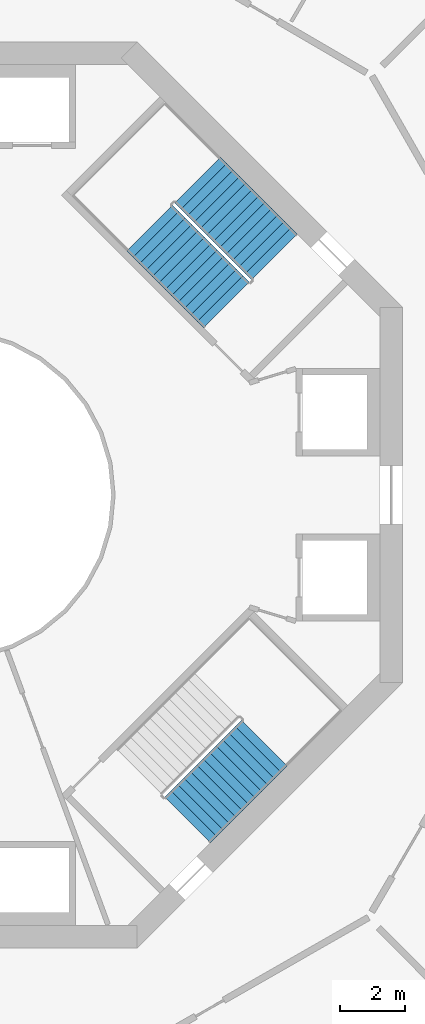
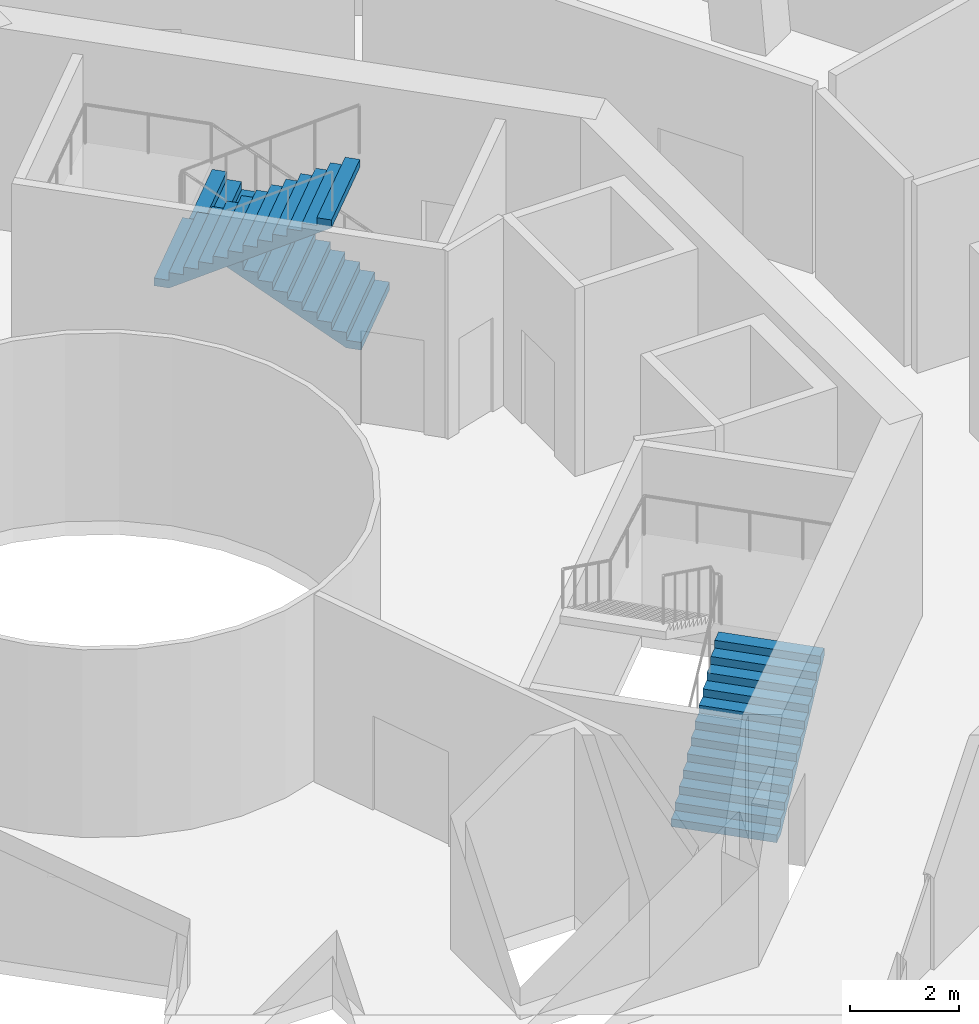
# One storey, part 15 of 16: 3 stair flights, 2 elements without a shape of their own.
"""IFC4 building model written with IfcOpenShell, lengths in metres."""

from ifc_helpers import new_model, si_unit, direction, frame, origin, place, context, subcontext, project, spatial, triangles, material, type_object, element, aggregate, save


model = new_model("IFC4")

# Units and contexts
model_context = context("Model", 3, precision=1e-05, world=origin(), true_north=direction((0.0, 1.0)))
body_context = subcontext(model_context, "Body", "Model", "MODEL_VIEW")
ifc_project = project(units=[si_unit("LENGTHUNIT", "METRE"), si_unit("AREAUNIT", "SQUARE_METRE"), si_unit("VOLUMEUNIT", "CUBIC_METRE"), si_unit("PLANEANGLEUNIT", "RADIAN"), si_unit("MASSUNIT", "GRAM", prefix="KILO")], contexts=[model_context])

# Site, building, storey
site_placement = place(None, origin())
site = spatial("IfcSite", under=ifc_project, at=site_placement, CompositionType="ELEMENT")
building_placement = place(site_placement, origin())
building = spatial("IfcBuilding", under=site, at=building_placement, Name="Verdalira Terraces Hotel", CompositionType="ELEMENT")
storey_placement = place(building_placement, frame((0.0, 0.0, 154.0)))
storey = spatial("IfcBuildingStorey", under=building, at=storey_placement, Name="L37", CompositionType="ELEMENT", Elevation=154.0)

# Stair, stair flights
ifc_material_1 = material(Name="Concrete C40", Category="concrete")
stair_type = type_object("IfcStairType", Name="Core stair 26 risers 2000 mm wide", PredefinedType="HALF_TURN_STAIR", material=ifc_material_1)
stair_1_placement = place(storey_placement, origin())
stair_1 = element("IfcStair", 1, at=stair_1_placement, inside=storey, type_object=stair_type, Name="L37 Exit stair ST1", PredefinedType="HALF_TURN_STAIR")
ifc_material_2 = material(Name="Concrete C40", Category="concrete")
stair_flight_type = type_object("IfcStairFlightType", Name="Core stair flight 26 risers 2000 mm wide", PredefinedType="STRAIGHT", material=ifc_material_2)
stair_flight_1_placement = place(storey_placement, frame((10.041016, 7.354004, 0.0), z_axis=(0.0, 0.0, 1.0), x_axis=(-0.707106781, 0.707106781, 0.0)))
stair_flight_1 = element("IfcStairFlight", 2, at=stair_flight_1_placement, type_object=stair_flight_type, Name="ST1 flight 1", NumberOfRisers=13, NumberOfTreads=12, PredefinedType="STRAIGHT", RiserHeight=0.173076923, TreadLength=0.28, context=body_context, shape_type="Tessellation", body=[
    triangles([(0.0, 1.0, 0.0), (0.285156, 1.0, 0.0), (3.360107, 1.0, 1.900635), (0.0, -1.0, 0.0), (0.285156, -1.0, 0.0), (3.360107, -1.0, 1.900635), (3.360107, 1.0, 2.076904), (3.080078, 1.0, 2.076904), (3.360107, -1.0, 2.076904), (3.080078, -1.0, 2.076904), (3.080078, 1.0, 1.903809), (3.080078, -1.0, 1.903809), (2.800049, 1.0, 1.903809), (2.800049, -1.0, 1.903809), (2.800049, 1.0, 1.730713), (2.800049, -1.0, 1.730713), (2.52002, 1.0, 1.730713), (2.52002, 1.0, 1.557617), (2.52002, -1.0, 1.730713), (2.52002, -1.0, 1.557617), (2.23999, 1.0, 1.557617), (2.23999, 1.0, 1.384521), (2.23999, -1.0, 1.557617), (2.23999, -1.0, 1.384521), (1.959961, 1.0, 1.384521), (1.959961, 1.0, 1.211426), (1.959961, -1.0, 1.384521), (1.959961, -1.0, 1.211426), (1.679932, 1.0, 1.211426), (1.679932, 1.0, 1.038574), (1.679932, -1.0, 1.211426), (1.679932, -1.0, 1.038574), (1.399902, 1.0, 1.038574), (1.399902, 1.0, 0.865479), (1.399902, -1.0, 1.038574), (1.399902, -1.0, 0.865479), (1.120117, 1.0, 0.865479), (1.120117, 1.0, 0.692383), (1.120117, -1.0, 0.865479), (1.120117, -1.0, 0.692383), (0.840088, 1.0, 0.692383), (0.840088, 1.0, 0.519287), (0.840088, -1.0, 0.692383), (0.840088, -1.0, 0.519287), (0.560059, 1.0, 0.519287), (0.560059, 1.0, 0.346191), (0.560059, -1.0, 0.519287), (0.560059, -1.0, 0.346191), (0.280029, 1.0, 0.346191), (0.280029, 1.0, 0.173096), (0.280029, -1.0, 0.346191), (0.280029, -1.0, 0.173096), (0.0, 1.0, 0.173096), (0.0, -1.0, 0.173096), (0.0, -0.9375, 0.0), (0.0, -0.9375, 0.173096), (0.0, -0.875, 0.0), (0.0, -0.875, 0.173096), (0.0, -0.8125, 0.0), (0.0, -0.8125, 0.173096), (0.0, -0.75, 0.0), (0.0, -0.75, 0.173096), (0.0, -0.6875, 0.0), (0.0, -0.6875, 0.173096), (0.0, -0.625, 0.0), (0.0, -0.625, 0.173096), (0.0, -0.5625, 0.0), (0.0, -0.5625, 0.173096), (0.0, -0.5, 0.0), (0.0, -0.5, 0.173096), (0.0, -0.4375, 0.0), (0.0, -0.4375, 0.173096), (0.0, -0.375, 0.0), (0.0, -0.375, 0.173096), (0.0, -0.3125, 0.0), (0.0, -0.3125, 0.173096), (0.0, -0.25, 0.0), (0.0, -0.25, 0.173096), (0.0, -0.1875, 0.0), (0.0, -0.1875, 0.173096), (0.0, -0.125, 0.0), (0.0, -0.125, 0.173096), (0.0, -0.0625, 0.0), (0.0, -0.0625, 0.173096), (0.0, 0.0, 0.0), (0.0, 0.0, 0.173096), (0.0, 0.0625, 0.0), (0.0, 0.0625, 0.173096), (0.0, 0.125, 0.0), (0.0, 0.125, 0.173096), (0.0, 0.1875, 0.0), (0.0, 0.1875, 0.173096), (0.0, 0.25, 0.0), (0.0, 0.25, 0.173096), (0.0, 0.3125, 0.0), (0.0, 0.3125, 0.173096), (0.0, 0.375, 0.0), (0.0, 0.375, 0.173096), (0.0, 0.4375, 0.0), (0.0, 0.4375, 0.173096), (0.0, 0.5, 0.0), (0.0, 0.5, 0.173096), (0.0, 0.5625, 0.0), (0.0, 0.5625, 0.173096), (0.0, 0.625, 0.0), (0.0, 0.625, 0.173096), (0.0, 0.6875, 0.0), (0.0, 0.6875, 0.173096), (0.0, 0.75, 0.0), (0.0, 0.75, 0.173096), (0.0, 0.8125, 0.0), (0.0, 0.8125, 0.173096), (0.0, 0.875, 0.0), (0.0, 0.875, 0.173096), (0.0, 0.9375, 0.0), (0.0, 0.9375, 0.173096), (3.360107, -0.9375, 2.076904), (3.360107, -0.875, 2.076904), (3.360107, -0.8125, 2.076904), (3.360107, -0.75, 2.076904), (3.360107, -0.6875, 2.076904), (3.360107, -0.625, 2.076904), (3.360107, -0.5625, 2.076904), (3.360107, -0.5, 2.076904), (3.360107, -0.4375, 2.076904), (3.360107, -0.375, 2.076904), (3.360107, -0.3125, 2.076904), (3.360107, -0.25, 2.076904), (3.360107, -0.1875, 2.076904), (3.360107, -0.125, 2.076904), (3.360107, -0.0625, 2.076904), (3.360107, 0.0, 2.076904), (3.360107, 0.0625, 2.076904), (3.360107, 0.125, 2.076904), (3.360107, 0.1875, 2.076904), (3.360107, 0.25, 2.076904), (3.360107, 0.3125, 2.076904), (3.360107, 0.375, 2.076904), (3.360107, 0.4375, 2.076904), (3.360107, 0.5, 2.076904), (3.360107, 0.5625, 2.076904), (3.360107, 0.625, 2.076904), (3.360107, 0.6875, 2.076904), (3.360107, 0.75, 2.076904), (3.360107, 0.8125, 2.076904), (3.360107, 0.875, 2.076904), (3.360107, 0.9375, 2.076904), (3.360107, -0.9375, 1.900635), (3.360107, -0.875, 1.900635), (3.360107, -0.8125, 1.900635), (3.360107, -0.75, 1.900635), (3.360107, -0.6875, 1.900635), (3.360107, -0.625, 1.900635), (3.360107, -0.5625, 1.900635), (3.360107, -0.5, 1.900635), (3.360107, -0.4375, 1.900635), (3.360107, -0.375, 1.900635), (3.360107, -0.3125, 1.900635), (3.360107, -0.25, 1.900635), (3.360107, -0.1875, 1.900635), (3.360107, -0.125, 1.900635), (3.360107, -0.0625, 1.900635), (3.360107, 0.0, 1.900635), (3.360107, 0.0625, 1.900635), (3.360107, 0.125, 1.900635), (3.360107, 0.1875, 1.900635), (3.360107, 0.25, 1.900635), (3.360107, 0.3125, 1.900635), (3.360107, 0.375, 1.900635), (3.360107, 0.4375, 1.900635), (3.360107, 0.5, 1.900635), (3.360107, 0.5625, 1.900635), (3.360107, 0.625, 1.900635), (3.360107, 0.6875, 1.900635), (3.360107, 0.75, 1.900635), (3.360107, 0.8125, 1.900635), (3.360107, 0.875, 1.900635), (3.360107, 0.9375, 1.900635)], [[1, 3, 2], [4, 5, 6], [3, 8, 7], [6, 9, 10], [3, 11, 8], [6, 10, 12], [3, 13, 11], [6, 12, 14], [3, 15, 13], [6, 14, 16], [15, 18, 17], [16, 19, 20], [3, 18, 15], [6, 16, 20], [18, 22, 21], [20, 23, 24], [3, 22, 18], [6, 20, 24], [22, 26, 25], [24, 27, 28], [3, 26, 22], [6, 24, 28], [1, 26, 3], [4, 6, 28], [26, 30, 29], [28, 31, 32], [30, 34, 33], [32, 35, 36], [26, 34, 30], [28, 32, 36], [34, 38, 37], [36, 39, 40], [26, 38, 34], [28, 36, 40], [38, 42, 41], [40, 43, 44], [26, 42, 38], [28, 40, 44], [42, 46, 45], [44, 47, 48], [26, 46, 42], [28, 44, 48], [46, 50, 49], [48, 51, 52], [26, 50, 46], [28, 48, 52], [1, 50, 26], [4, 28, 52], [50, 1, 53], [52, 54, 4], [4, 56, 55], [4, 54, 56], [55, 58, 57], [55, 56, 58], [57, 60, 59], [57, 58, 60], [59, 62, 61], [59, 60, 62], [61, 64, 63], [61, 62, 64], [63, 66, 65], [63, 64, 66], [65, 68, 67], [65, 66, 68], [67, 70, 69], [67, 68, 70], [69, 72, 71], [69, 70, 72], [71, 74, 73], [71, 72, 74], [73, 76, 75], [73, 74, 76], [75, 78, 77], [75, 76, 78], [77, 80, 79], [77, 78, 80], [79, 82, 81], [79, 80, 82], [81, 84, 83], [81, 82, 84], [83, 86, 85], [83, 84, 86], [85, 88, 87], [85, 86, 88], [87, 90, 89], [87, 88, 90], [89, 92, 91], [89, 90, 92], [91, 94, 93], [91, 92, 94], [93, 96, 95], [93, 94, 96], [95, 98, 97], [95, 96, 98], [97, 100, 99], [97, 98, 100], [99, 102, 101], [99, 100, 102], [101, 104, 103], [101, 102, 104], [103, 106, 105], [103, 104, 106], [105, 108, 107], [105, 106, 108], [107, 110, 109], [107, 108, 110], [109, 112, 111], [109, 110, 112], [111, 114, 113], [111, 112, 114], [113, 116, 115], [113, 114, 116], [115, 53, 1], [115, 116, 53], [54, 52, 56], [56, 52, 58], [58, 52, 60], [60, 52, 62], [62, 52, 64], [64, 52, 66], [66, 52, 68], [68, 52, 70], [70, 52, 72], [72, 52, 74], [74, 52, 76], [76, 52, 78], [78, 52, 80], [80, 52, 82], [82, 52, 84], [84, 52, 86], [86, 52, 88], [88, 52, 90], [90, 52, 92], [92, 52, 94], [94, 52, 96], [96, 52, 98], [98, 52, 100], [100, 52, 102], [102, 52, 104], [104, 52, 106], [106, 52, 108], [108, 52, 110], [110, 52, 112], [112, 52, 114], [114, 52, 116], [116, 52, 53], [53, 52, 50], [52, 49, 50], [52, 51, 49], [51, 46, 49], [51, 48, 46], [48, 45, 46], [48, 47, 45], [47, 42, 45], [47, 44, 42], [44, 41, 42], [44, 43, 41], [43, 38, 41], [43, 40, 38], [40, 37, 38], [40, 39, 37], [39, 34, 37], [39, 36, 34], [36, 33, 34], [36, 35, 33], [35, 30, 33], [35, 32, 30], [32, 29, 30], [32, 31, 29], [31, 26, 29], [31, 28, 26], [28, 25, 26], [28, 27, 25], [27, 22, 25], [27, 24, 22], [24, 21, 22], [24, 23, 21], [23, 18, 21], [23, 20, 18], [20, 17, 18], [20, 19, 17], [19, 15, 17], [19, 16, 15], [16, 13, 15], [16, 14, 13], [14, 11, 13], [14, 12, 11], [12, 8, 11], [12, 10, 8], [9, 117, 10], [117, 118, 10], [118, 119, 10], [119, 120, 10], [120, 121, 10], [121, 122, 10], [122, 123, 10], [123, 124, 10], [124, 125, 10], [125, 126, 10], [126, 127, 10], [127, 128, 10], [128, 129, 10], [129, 130, 10], [130, 131, 10], [131, 132, 10], [132, 133, 10], [133, 134, 10], [134, 135, 10], [135, 136, 10], [136, 137, 10], [137, 138, 10], [138, 139, 10], [139, 140, 10], [140, 141, 10], [141, 142, 10], [142, 143, 10], [143, 144, 10], [144, 145, 10], [145, 146, 10], [146, 147, 10], [147, 7, 10], [7, 8, 10], [9, 148, 117], [9, 6, 148], [117, 149, 118], [117, 148, 149], [118, 150, 119], [118, 149, 150], [119, 151, 120], [119, 150, 151], [120, 152, 121], [120, 151, 152], [121, 153, 122], [121, 152, 153], [122, 154, 123], [122, 153, 154], [123, 155, 124], [123, 154, 155], [124, 156, 125], [124, 155, 156], [125, 157, 126], [125, 156, 157], [126, 158, 127], [126, 157, 158], [127, 159, 128], [127, 158, 159], [128, 160, 129], [128, 159, 160], [129, 161, 130], [129, 160, 161], [130, 162, 131], [130, 161, 162], [131, 163, 132], [131, 162, 163], [132, 164, 133], [132, 163, 164], [133, 165, 134], [133, 164, 165], [134, 166, 135], [134, 165, 166], [135, 167, 136], [135, 166, 167], [136, 168, 137], [136, 167, 168], [137, 169, 138], [137, 168, 169], [138, 170, 139], [138, 169, 170], [139, 171, 140], [139, 170, 171], [140, 172, 141], [140, 171, 172], [141, 173, 142], [141, 172, 173], [142, 174, 143], [142, 173, 174], [143, 175, 144], [143, 174, 175], [144, 176, 145], [144, 175, 176], [145, 177, 146], [145, 176, 177], [146, 178, 147], [146, 177, 178], [147, 3, 7], [147, 178, 3], [6, 5, 148], [148, 5, 149], [149, 5, 150], [150, 5, 151], [151, 5, 152], [152, 5, 153], [153, 5, 154], [154, 5, 155], [155, 5, 156], [156, 5, 157], [157, 5, 158], [158, 5, 159], [159, 5, 160], [160, 5, 161], [161, 5, 162], [162, 5, 163], [163, 5, 164], [164, 5, 165], [165, 5, 166], [166, 5, 167], [167, 5, 168], [168, 5, 169], [169, 5, 170], [170, 5, 171], [171, 5, 172], [172, 5, 173], [173, 5, 174], [174, 5, 175], [175, 5, 176], [176, 5, 177], [177, 5, 178], [178, 5, 3], [3, 5, 2], [4, 55, 5], [55, 57, 5], [57, 59, 5], [59, 61, 5], [61, 63, 5], [63, 65, 5], [65, 67, 5], [67, 69, 5], [69, 71, 5], [71, 73, 5], [73, 75, 5], [75, 77, 5], [77, 79, 5], [79, 81, 5], [81, 83, 5], [83, 85, 5], [85, 87, 5], [87, 89, 5], [89, 91, 5], [91, 93, 5], [93, 95, 5], [95, 97, 5], [97, 99, 5], [99, 101, 5], [101, 103, 5], [103, 105, 5], [105, 107, 5], [107, 109, 5], [109, 111, 5], [111, 113, 5], [113, 115, 5], [115, 1, 5], [1, 2, 5]], closed=True),
])
stair_flight_2_placement = place(storey_placement, frame((6.180176, 8.244873, 2.25), z_axis=(0.0, 0.0, 1.0), x_axis=(0.707106781, -0.707106781, 0.0)))
stair_flight_2 = element("IfcStairFlight", 3, at=stair_flight_2_placement, type_object=stair_flight_type, Name="ST1 flight 2", NumberOfRisers=13, NumberOfTreads=12, PredefinedType="STRAIGHT", RiserHeight=0.173076923, TreadLength=0.28, context=body_context, shape_type="Tessellation", body=[
    triangles([(0.0, 1.0, 0.0), (0.285156, 1.0, 0.0), (3.360107, 1.0, 1.900635), (0.0, -1.0, 0.0), (0.285156, -1.0, 0.0), (3.360107, -1.0, 1.900635), (3.360107, 1.0, 2.076904), (3.080078, 1.0, 2.076904), (3.360107, -1.0, 2.076904), (3.080078, -1.0, 2.076904), (3.080078, 1.0, 1.903809), (3.080078, -1.0, 1.903809), (2.800049, 1.0, 1.903809), (2.800049, -1.0, 1.903809), (2.800049, 1.0, 1.730713), (2.800049, -1.0, 1.730713), (2.52002, 1.0, 1.730713), (2.52002, 1.0, 1.557617), (2.52002, -1.0, 1.730713), (2.52002, -1.0, 1.557617), (2.23999, 1.0, 1.557617), (2.23999, 1.0, 1.384521), (2.23999, -1.0, 1.557617), (2.23999, -1.0, 1.384521), (1.959961, 1.0, 1.384521), (1.959961, 1.0, 1.211426), (1.959961, -1.0, 1.384521), (1.959961, -1.0, 1.211426), (1.679932, 1.0, 1.211426), (1.679932, 1.0, 1.038574), (1.679932, -1.0, 1.211426), (1.679932, -1.0, 1.038574), (1.399902, 1.0, 1.038574), (1.399902, 1.0, 0.865479), (1.399902, -1.0, 1.038574), (1.399902, -1.0, 0.865479), (1.120117, 1.0, 0.865479), (1.120117, 1.0, 0.692383), (1.120117, -1.0, 0.865479), (1.120117, -1.0, 0.692383), (0.840088, 1.0, 0.692383), (0.840088, 1.0, 0.519287), (0.840088, -1.0, 0.692383), (0.840088, -1.0, 0.519287), (0.560059, 1.0, 0.519287), (0.560059, 1.0, 0.346191), (0.560059, -1.0, 0.519287), (0.560059, -1.0, 0.346191), (0.280029, 1.0, 0.346191), (0.280029, 1.0, 0.173096), (0.280029, -1.0, 0.346191), (0.280029, -1.0, 0.173096), (0.0, 1.0, 0.173096), (0.0, -1.0, 0.173096), (0.0, -0.9375, 0.0), (0.0, -0.9375, 0.173096), (0.0, -0.875, 0.0), (0.0, -0.875, 0.173096), (0.0, -0.8125, 0.0), (0.0, -0.8125, 0.173096), (0.0, -0.75, 0.0), (0.0, -0.75, 0.173096), (0.0, -0.6875, 0.0), (0.0, -0.6875, 0.173096), (0.0, -0.625, 0.0), (0.0, -0.625, 0.173096), (0.0, -0.5625, 0.0), (0.0, -0.5625, 0.173096), (0.0, -0.5, 0.0), (0.0, -0.5, 0.173096), (0.0, -0.4375, 0.0), (0.0, -0.4375, 0.173096), (0.0, -0.375, 0.0), (0.0, -0.375, 0.173096), (0.0, -0.3125, 0.0), (0.0, -0.3125, 0.173096), (0.0, -0.25, 0.0), (0.0, -0.25, 0.173096), (0.0, -0.1875, 0.0), (0.0, -0.1875, 0.173096), (0.0, -0.125, 0.0), (0.0, -0.125, 0.173096), (0.0, -0.0625, 0.0), (0.0, -0.0625, 0.173096), (0.0, 0.0, 0.0), (0.0, 0.0, 0.173096), (0.0, 0.0625, 0.0), (0.0, 0.0625, 0.173096), (0.0, 0.125, 0.0), (0.0, 0.125, 0.173096), (0.0, 0.1875, 0.0), (0.0, 0.1875, 0.173096), (0.0, 0.25, 0.0), (0.0, 0.25, 0.173096), (0.0, 0.3125, 0.0), (0.0, 0.3125, 0.173096), (0.0, 0.375, 0.0), (0.0, 0.375, 0.173096), (0.0, 0.4375, 0.0), (0.0, 0.4375, 0.173096), (0.0, 0.5, 0.0), (0.0, 0.5, 0.173096), (0.0, 0.5625, 0.0), (0.0, 0.5625, 0.173096), (0.0, 0.625, 0.0), (0.0, 0.625, 0.173096), (0.0, 0.6875, 0.0), (0.0, 0.6875, 0.173096), (0.0, 0.75, 0.0), (0.0, 0.75, 0.173096), (0.0, 0.8125, 0.0), (0.0, 0.8125, 0.173096), (0.0, 0.875, 0.0), (0.0, 0.875, 0.173096), (0.0, 0.9375, 0.0), (0.0, 0.9375, 0.173096), (3.360107, -0.9375, 2.076904), (3.360107, -0.875, 2.076904), (3.360107, -0.8125, 2.076904), (3.360107, -0.75, 2.076904), (3.360107, -0.6875, 2.076904), (3.360107, -0.625, 2.076904), (3.360107, -0.5625, 2.076904), (3.360107, -0.5, 2.076904), (3.360107, -0.4375, 2.076904), (3.360107, -0.375, 2.076904), (3.360107, -0.3125, 2.076904), (3.360107, -0.25, 2.076904), (3.360107, -0.1875, 2.076904), (3.360107, -0.125, 2.076904), (3.360107, -0.0625, 2.076904), (3.360107, 0.0, 2.076904), (3.360107, 0.0625, 2.076904), (3.360107, 0.125, 2.076904), (3.360107, 0.1875, 2.076904), (3.360107, 0.25, 2.076904), (3.360107, 0.3125, 2.076904), (3.360107, 0.375, 2.076904), (3.360107, 0.4375, 2.076904), (3.360107, 0.5, 2.076904), (3.360107, 0.5625, 2.076904), (3.360107, 0.625, 2.076904), (3.360107, 0.6875, 2.076904), (3.360107, 0.75, 2.076904), (3.360107, 0.8125, 2.076904), (3.360107, 0.875, 2.076904), (3.360107, 0.9375, 2.076904), (3.360107, -0.9375, 1.900635), (3.360107, -0.875, 1.900635), (3.360107, -0.8125, 1.900635), (3.360107, -0.75, 1.900635), (3.360107, -0.6875, 1.900635), (3.360107, -0.625, 1.900635), (3.360107, -0.5625, 1.900635), (3.360107, -0.5, 1.900635), (3.360107, -0.4375, 1.900635), (3.360107, -0.375, 1.900635), (3.360107, -0.3125, 1.900635), (3.360107, -0.25, 1.900635), (3.360107, -0.1875, 1.900635), (3.360107, -0.125, 1.900635), (3.360107, -0.0625, 1.900635), (3.360107, 0.0, 1.900635), (3.360107, 0.0625, 1.900635), (3.360107, 0.125, 1.900635), (3.360107, 0.1875, 1.900635), (3.360107, 0.25, 1.900635), (3.360107, 0.3125, 1.900635), (3.360107, 0.375, 1.900635), (3.360107, 0.4375, 1.900635), (3.360107, 0.5, 1.900635), (3.360107, 0.5625, 1.900635), (3.360107, 0.625, 1.900635), (3.360107, 0.6875, 1.900635), (3.360107, 0.75, 1.900635), (3.360107, 0.8125, 1.900635), (3.360107, 0.875, 1.900635), (3.360107, 0.9375, 1.900635)], [[1, 3, 2], [4, 5, 6], [3, 8, 7], [6, 9, 10], [3, 11, 8], [6, 10, 12], [3, 13, 11], [6, 12, 14], [3, 15, 13], [6, 14, 16], [15, 18, 17], [16, 19, 20], [3, 18, 15], [6, 16, 20], [18, 22, 21], [20, 23, 24], [3, 22, 18], [6, 20, 24], [22, 26, 25], [24, 27, 28], [3, 26, 22], [6, 24, 28], [1, 26, 3], [4, 6, 28], [26, 30, 29], [28, 31, 32], [30, 34, 33], [32, 35, 36], [26, 34, 30], [28, 32, 36], [34, 38, 37], [36, 39, 40], [26, 38, 34], [28, 36, 40], [38, 42, 41], [40, 43, 44], [26, 42, 38], [28, 40, 44], [42, 46, 45], [44, 47, 48], [26, 46, 42], [28, 44, 48], [46, 50, 49], [48, 51, 52], [26, 50, 46], [28, 48, 52], [1, 50, 26], [4, 28, 52], [50, 1, 53], [52, 54, 4], [4, 56, 55], [4, 54, 56], [55, 58, 57], [55, 56, 58], [57, 60, 59], [57, 58, 60], [59, 62, 61], [59, 60, 62], [61, 64, 63], [61, 62, 64], [63, 66, 65], [63, 64, 66], [65, 68, 67], [65, 66, 68], [67, 70, 69], [67, 68, 70], [69, 72, 71], [69, 70, 72], [71, 74, 73], [71, 72, 74], [73, 76, 75], [73, 74, 76], [75, 78, 77], [75, 76, 78], [77, 80, 79], [77, 78, 80], [79, 82, 81], [79, 80, 82], [81, 84, 83], [81, 82, 84], [83, 86, 85], [83, 84, 86], [85, 88, 87], [85, 86, 88], [87, 90, 89], [87, 88, 90], [89, 92, 91], [89, 90, 92], [91, 94, 93], [91, 92, 94], [93, 96, 95], [93, 94, 96], [95, 98, 97], [95, 96, 98], [97, 100, 99], [97, 98, 100], [99, 102, 101], [99, 100, 102], [101, 104, 103], [101, 102, 104], [103, 106, 105], [103, 104, 106], [105, 108, 107], [105, 106, 108], [107, 110, 109], [107, 108, 110], [109, 112, 111], [109, 110, 112], [111, 114, 113], [111, 112, 114], [113, 116, 115], [113, 114, 116], [115, 53, 1], [115, 116, 53], [54, 52, 56], [56, 52, 58], [58, 52, 60], [60, 52, 62], [62, 52, 64], [64, 52, 66], [66, 52, 68], [68, 52, 70], [70, 52, 72], [72, 52, 74], [74, 52, 76], [76, 52, 78], [78, 52, 80], [80, 52, 82], [82, 52, 84], [84, 52, 86], [86, 52, 88], [88, 52, 90], [90, 52, 92], [92, 52, 94], [94, 52, 96], [96, 52, 98], [98, 52, 100], [100, 52, 102], [102, 52, 104], [104, 52, 106], [106, 52, 108], [108, 52, 110], [110, 52, 112], [112, 52, 114], [114, 52, 116], [116, 52, 53], [53, 52, 50], [52, 49, 50], [52, 51, 49], [51, 46, 49], [51, 48, 46], [48, 45, 46], [48, 47, 45], [47, 42, 45], [47, 44, 42], [44, 41, 42], [44, 43, 41], [43, 38, 41], [43, 40, 38], [40, 37, 38], [40, 39, 37], [39, 34, 37], [39, 36, 34], [36, 33, 34], [36, 35, 33], [35, 30, 33], [35, 32, 30], [32, 29, 30], [32, 31, 29], [31, 26, 29], [31, 28, 26], [28, 25, 26], [28, 27, 25], [27, 22, 25], [27, 24, 22], [24, 21, 22], [24, 23, 21], [23, 18, 21], [23, 20, 18], [20, 17, 18], [20, 19, 17], [19, 15, 17], [19, 16, 15], [16, 13, 15], [16, 14, 13], [14, 11, 13], [14, 12, 11], [12, 8, 11], [12, 10, 8], [9, 117, 10], [117, 118, 10], [118, 119, 10], [119, 120, 10], [120, 121, 10], [121, 122, 10], [122, 123, 10], [123, 124, 10], [124, 125, 10], [125, 126, 10], [126, 127, 10], [127, 128, 10], [128, 129, 10], [129, 130, 10], [130, 131, 10], [131, 132, 10], [132, 133, 10], [133, 134, 10], [134, 135, 10], [135, 136, 10], [136, 137, 10], [137, 138, 10], [138, 139, 10], [139, 140, 10], [140, 141, 10], [141, 142, 10], [142, 143, 10], [143, 144, 10], [144, 145, 10], [145, 146, 10], [146, 147, 10], [147, 7, 10], [7, 8, 10], [9, 148, 117], [9, 6, 148], [117, 149, 118], [117, 148, 149], [118, 150, 119], [118, 149, 150], [119, 151, 120], [119, 150, 151], [120, 152, 121], [120, 151, 152], [121, 153, 122], [121, 152, 153], [122, 154, 123], [122, 153, 154], [123, 155, 124], [123, 154, 155], [124, 156, 125], [124, 155, 156], [125, 157, 126], [125, 156, 157], [126, 158, 127], [126, 157, 158], [127, 159, 128], [127, 158, 159], [128, 160, 129], [128, 159, 160], [129, 161, 130], [129, 160, 161], [130, 162, 131], [130, 161, 162], [131, 163, 132], [131, 162, 163], [132, 164, 133], [132, 163, 164], [133, 165, 134], [133, 164, 165], [134, 166, 135], [134, 165, 166], [135, 167, 136], [135, 166, 167], [136, 168, 137], [136, 167, 168], [137, 169, 138], [137, 168, 169], [138, 170, 139], [138, 169, 170], [139, 171, 140], [139, 170, 171], [140, 172, 141], [140, 171, 172], [141, 173, 142], [141, 172, 173], [142, 174, 143], [142, 173, 174], [143, 175, 144], [143, 174, 175], [144, 176, 145], [144, 175, 176], [145, 177, 146], [145, 176, 177], [146, 178, 147], [146, 177, 178], [147, 3, 7], [147, 178, 3], [6, 5, 148], [148, 5, 149], [149, 5, 150], [150, 5, 151], [151, 5, 152], [152, 5, 153], [153, 5, 154], [154, 5, 155], [155, 5, 156], [156, 5, 157], [157, 5, 158], [158, 5, 159], [159, 5, 160], [160, 5, 161], [161, 5, 162], [162, 5, 163], [163, 5, 164], [164, 5, 165], [165, 5, 166], [166, 5, 167], [167, 5, 168], [168, 5, 169], [169, 5, 170], [170, 5, 171], [171, 5, 172], [172, 5, 173], [173, 5, 174], [174, 5, 175], [175, 5, 176], [176, 5, 177], [177, 5, 178], [178, 5, 3], [3, 5, 2], [4, 55, 5], [55, 57, 5], [57, 59, 5], [59, 61, 5], [61, 63, 5], [63, 65, 5], [65, 67, 5], [67, 69, 5], [69, 71, 5], [71, 73, 5], [73, 75, 5], [75, 77, 5], [77, 79, 5], [79, 81, 5], [81, 83, 5], [83, 85, 5], [85, 87, 5], [87, 89, 5], [89, 91, 5], [91, 93, 5], [93, 95, 5], [95, 97, 5], [97, 99, 5], [99, 101, 5], [101, 103, 5], [103, 105, 5], [105, 107, 5], [107, 109, 5], [109, 111, 5], [111, 113, 5], [113, 115, 5], [115, 1, 5], [1, 2, 5]], closed=True),
])
aggregate(stair_1, [stair_flight_1, stair_flight_2])

# Stair, stair flight
stair_2_placement = place(storey_placement, origin())
stair_2 = element("IfcStair", 4, at=stair_2_placement, inside=storey, type_object=stair_type, Name="L37 Exit stair ST3", PredefinedType="HALF_TURN_STAIR")
stair_flight_3_placement = place(storey_placement, frame((7.354004, -10.041016, 0.0), z_axis=(0.0, 0.0, 1.0), x_axis=(0.707106781, 0.707106781, 0.0)))
stair_flight_3 = element("IfcStairFlight", 5, at=stair_flight_3_placement, type_object=stair_flight_type, Name="ST3 flight 1", NumberOfRisers=13, NumberOfTreads=12, PredefinedType="STRAIGHT", RiserHeight=0.173076923, TreadLength=0.28, context=body_context, shape_type="Tessellation", body=[
    triangles([(0.0, 1.0, 0.0), (0.285156, 1.0, 0.0), (3.360107, 1.0, 1.900635), (0.0, -1.0, 0.0), (0.285156, -1.0, 0.0), (3.360107, -1.0, 1.900635), (3.360107, 1.0, 2.076904), (3.080078, 1.0, 2.076904), (3.360107, -1.0, 2.076904), (3.080078, -1.0, 2.076904), (3.080078, 1.0, 1.903809), (3.080078, -1.0, 1.903809), (2.800049, 1.0, 1.903809), (2.800049, -1.0, 1.903809), (2.800049, 1.0, 1.730713), (2.800049, -1.0, 1.730713), (2.52002, 1.0, 1.730713), (2.52002, 1.0, 1.557617), (2.52002, -1.0, 1.730713), (2.52002, -1.0, 1.557617), (2.23999, 1.0, 1.557617), (2.23999, 1.0, 1.384521), (2.23999, -1.0, 1.557617), (2.23999, -1.0, 1.384521), (1.959961, 1.0, 1.384521), (1.959961, 1.0, 1.211426), (1.959961, -1.0, 1.384521), (1.959961, -1.0, 1.211426), (1.679932, 1.0, 1.211426), (1.679932, 1.0, 1.038574), (1.679932, -1.0, 1.211426), (1.679932, -1.0, 1.038574), (1.399902, 1.0, 1.038574), (1.399902, 1.0, 0.865479), (1.399902, -1.0, 1.038574), (1.399902, -1.0, 0.865479), (1.120117, 1.0, 0.865479), (1.120117, 1.0, 0.692383), (1.120117, -1.0, 0.865479), (1.120117, -1.0, 0.692383), (0.840088, 1.0, 0.692383), (0.840088, 1.0, 0.519287), (0.840088, -1.0, 0.692383), (0.840088, -1.0, 0.519287), (0.560059, 1.0, 0.519287), (0.560059, 1.0, 0.346191), (0.560059, -1.0, 0.519287), (0.560059, -1.0, 0.346191), (0.280029, 1.0, 0.346191), (0.280029, 1.0, 0.173096), (0.280029, -1.0, 0.346191), (0.280029, -1.0, 0.173096), (0.0, 1.0, 0.173096), (0.0, -1.0, 0.173096), (0.0, -0.9375, 0.0), (0.0, -0.9375, 0.173096), (0.0, -0.875, 0.0), (0.0, -0.875, 0.173096), (0.0, -0.8125, 0.0), (0.0, -0.8125, 0.173096), (0.0, -0.75, 0.0), (0.0, -0.75, 0.173096), (0.0, -0.6875, 0.0), (0.0, -0.6875, 0.173096), (0.0, -0.625, 0.0), (0.0, -0.625, 0.173096), (0.0, -0.5625, 0.0), (0.0, -0.5625, 0.173096), (0.0, -0.5, 0.0), (0.0, -0.5, 0.173096), (0.0, -0.4375, 0.0), (0.0, -0.4375, 0.173096), (0.0, -0.375, 0.0), (0.0, -0.375, 0.173096), (0.0, -0.3125, 0.0), (0.0, -0.3125, 0.173096), (0.0, -0.25, 0.0), (0.0, -0.25, 0.173096), (0.0, -0.1875, 0.0), (0.0, -0.1875, 0.173096), (0.0, -0.125, 0.0), (0.0, -0.125, 0.173096), (0.0, -0.0625, 0.0), (0.0, -0.0625, 0.173096), (0.0, 0.0, 0.0), (0.0, 0.0, 0.173096), (0.0, 0.0625, 0.0), (0.0, 0.0625, 0.173096), (0.0, 0.125, 0.0), (0.0, 0.125, 0.173096), (0.0, 0.1875, 0.0), (0.0, 0.1875, 0.173096), (0.0, 0.25, 0.0), (0.0, 0.25, 0.173096), (0.0, 0.3125, 0.0), (0.0, 0.3125, 0.173096), (0.0, 0.375, 0.0), (0.0, 0.375, 0.173096), (0.0, 0.4375, 0.0), (0.0, 0.4375, 0.173096), (0.0, 0.5, 0.0), (0.0, 0.5, 0.173096), (0.0, 0.5625, 0.0), (0.0, 0.5625, 0.173096), (0.0, 0.625, 0.0), (0.0, 0.625, 0.173096), (0.0, 0.6875, 0.0), (0.0, 0.6875, 0.173096), (0.0, 0.75, 0.0), (0.0, 0.75, 0.173096), (0.0, 0.8125, 0.0), (0.0, 0.8125, 0.173096), (0.0, 0.875, 0.0), (0.0, 0.875, 0.173096), (0.0, 0.9375, 0.0), (0.0, 0.9375, 0.173096), (3.360107, -0.9375, 2.076904), (3.360107, -0.875, 2.076904), (3.360107, -0.8125, 2.076904), (3.360107, -0.75, 2.076904), (3.360107, -0.6875, 2.076904), (3.360107, -0.625, 2.076904), (3.360107, -0.5625, 2.076904), (3.360107, -0.5, 2.076904), (3.360107, -0.4375, 2.076904), (3.360107, -0.375, 2.076904), (3.360107, -0.3125, 2.076904), (3.360107, -0.25, 2.076904), (3.360107, -0.1875, 2.076904), (3.360107, -0.125, 2.076904), (3.360107, -0.0625, 2.076904), (3.360107, 0.0, 2.076904), (3.360107, 0.0625, 2.076904), (3.360107, 0.125, 2.076904), (3.360107, 0.1875, 2.076904), (3.360107, 0.25, 2.076904), (3.360107, 0.3125, 2.076904), (3.360107, 0.375, 2.076904), (3.360107, 0.4375, 2.076904), (3.360107, 0.5, 2.076904), (3.360107, 0.5625, 2.076904), (3.360107, 0.625, 2.076904), (3.360107, 0.6875, 2.076904), (3.360107, 0.75, 2.076904), (3.360107, 0.8125, 2.076904), (3.360107, 0.875, 2.076904), (3.360107, 0.9375, 2.076904), (3.360107, -0.9375, 1.900635), (3.360107, -0.875, 1.900635), (3.360107, -0.8125, 1.900635), (3.360107, -0.75, 1.900635), (3.360107, -0.6875, 1.900635), (3.360107, -0.625, 1.900635), (3.360107, -0.5625, 1.900635), (3.360107, -0.5, 1.900635), (3.360107, -0.4375, 1.900635), (3.360107, -0.375, 1.900635), (3.360107, -0.3125, 1.900635), (3.360107, -0.25, 1.900635), (3.360107, -0.1875, 1.900635), (3.360107, -0.125, 1.900635), (3.360107, -0.0625, 1.900635), (3.360107, 0.0, 1.900635), (3.360107, 0.0625, 1.900635), (3.360107, 0.125, 1.900635), (3.360107, 0.1875, 1.900635), (3.360107, 0.25, 1.900635), (3.360107, 0.3125, 1.900635), (3.360107, 0.375, 1.900635), (3.360107, 0.4375, 1.900635), (3.360107, 0.5, 1.900635), (3.360107, 0.5625, 1.900635), (3.360107, 0.625, 1.900635), (3.360107, 0.6875, 1.900635), (3.360107, 0.75, 1.900635), (3.360107, 0.8125, 1.900635), (3.360107, 0.875, 1.900635), (3.360107, 0.9375, 1.900635)], [[1, 3, 2], [4, 5, 6], [3, 8, 7], [6, 9, 10], [3, 11, 8], [6, 10, 12], [3, 13, 11], [6, 12, 14], [3, 15, 13], [6, 14, 16], [15, 18, 17], [16, 19, 20], [3, 18, 15], [6, 16, 20], [18, 22, 21], [20, 23, 24], [3, 22, 18], [6, 20, 24], [22, 26, 25], [24, 27, 28], [3, 26, 22], [6, 24, 28], [1, 26, 3], [4, 6, 28], [26, 30, 29], [28, 31, 32], [30, 34, 33], [32, 35, 36], [26, 34, 30], [28, 32, 36], [34, 38, 37], [36, 39, 40], [26, 38, 34], [28, 36, 40], [38, 42, 41], [40, 43, 44], [26, 42, 38], [28, 40, 44], [42, 46, 45], [44, 47, 48], [26, 46, 42], [28, 44, 48], [46, 50, 49], [48, 51, 52], [26, 50, 46], [28, 48, 52], [1, 50, 26], [4, 28, 52], [50, 1, 53], [52, 54, 4], [4, 56, 55], [4, 54, 56], [55, 58, 57], [55, 56, 58], [57, 60, 59], [57, 58, 60], [59, 62, 61], [59, 60, 62], [61, 64, 63], [61, 62, 64], [63, 66, 65], [63, 64, 66], [65, 68, 67], [65, 66, 68], [67, 70, 69], [67, 68, 70], [69, 72, 71], [69, 70, 72], [71, 74, 73], [71, 72, 74], [73, 76, 75], [73, 74, 76], [75, 78, 77], [75, 76, 78], [77, 80, 79], [77, 78, 80], [79, 82, 81], [79, 80, 82], [81, 84, 83], [81, 82, 84], [83, 86, 85], [83, 84, 86], [85, 88, 87], [85, 86, 88], [87, 90, 89], [87, 88, 90], [89, 92, 91], [89, 90, 92], [91, 94, 93], [91, 92, 94], [93, 96, 95], [93, 94, 96], [95, 98, 97], [95, 96, 98], [97, 100, 99], [97, 98, 100], [99, 102, 101], [99, 100, 102], [101, 104, 103], [101, 102, 104], [103, 106, 105], [103, 104, 106], [105, 108, 107], [105, 106, 108], [107, 110, 109], [107, 108, 110], [109, 112, 111], [109, 110, 112], [111, 114, 113], [111, 112, 114], [113, 116, 115], [113, 114, 116], [115, 53, 1], [115, 116, 53], [54, 52, 56], [56, 52, 58], [58, 52, 60], [60, 52, 62], [62, 52, 64], [64, 52, 66], [66, 52, 68], [68, 52, 70], [70, 52, 72], [72, 52, 74], [74, 52, 76], [76, 52, 78], [78, 52, 80], [80, 52, 82], [82, 52, 84], [84, 52, 86], [86, 52, 88], [88, 52, 90], [90, 52, 92], [92, 52, 94], [94, 52, 96], [96, 52, 98], [98, 52, 100], [100, 52, 102], [102, 52, 104], [104, 52, 106], [106, 52, 108], [108, 52, 110], [110, 52, 112], [112, 52, 114], [114, 52, 116], [116, 52, 53], [53, 52, 50], [52, 49, 50], [52, 51, 49], [51, 46, 49], [51, 48, 46], [48, 45, 46], [48, 47, 45], [47, 42, 45], [47, 44, 42], [44, 41, 42], [44, 43, 41], [43, 38, 41], [43, 40, 38], [40, 37, 38], [40, 39, 37], [39, 34, 37], [39, 36, 34], [36, 33, 34], [36, 35, 33], [35, 30, 33], [35, 32, 30], [32, 29, 30], [32, 31, 29], [31, 26, 29], [31, 28, 26], [28, 25, 26], [28, 27, 25], [27, 22, 25], [27, 24, 22], [24, 21, 22], [24, 23, 21], [23, 18, 21], [23, 20, 18], [20, 17, 18], [20, 19, 17], [19, 15, 17], [19, 16, 15], [16, 13, 15], [16, 14, 13], [14, 11, 13], [14, 12, 11], [12, 8, 11], [12, 10, 8], [9, 117, 10], [117, 118, 10], [118, 119, 10], [119, 120, 10], [120, 121, 10], [121, 122, 10], [122, 123, 10], [123, 124, 10], [124, 125, 10], [125, 126, 10], [126, 127, 10], [127, 128, 10], [128, 129, 10], [129, 130, 10], [130, 131, 10], [131, 132, 10], [132, 133, 10], [133, 134, 10], [134, 135, 10], [135, 136, 10], [136, 137, 10], [137, 138, 10], [138, 139, 10], [139, 140, 10], [140, 141, 10], [141, 142, 10], [142, 143, 10], [143, 144, 10], [144, 145, 10], [145, 146, 10], [146, 147, 10], [147, 7, 10], [7, 8, 10], [9, 148, 117], [9, 6, 148], [117, 149, 118], [117, 148, 149], [118, 150, 119], [118, 149, 150], [119, 151, 120], [119, 150, 151], [120, 152, 121], [120, 151, 152], [121, 153, 122], [121, 152, 153], [122, 154, 123], [122, 153, 154], [123, 155, 124], [123, 154, 155], [124, 156, 125], [124, 155, 156], [125, 157, 126], [125, 156, 157], [126, 158, 127], [126, 157, 158], [127, 159, 128], [127, 158, 159], [128, 160, 129], [128, 159, 160], [129, 161, 130], [129, 160, 161], [130, 162, 131], [130, 161, 162], [131, 163, 132], [131, 162, 163], [132, 164, 133], [132, 163, 164], [133, 165, 134], [133, 164, 165], [134, 166, 135], [134, 165, 166], [135, 167, 136], [135, 166, 167], [136, 168, 137], [136, 167, 168], [137, 169, 138], [137, 168, 169], [138, 170, 139], [138, 169, 170], [139, 171, 140], [139, 170, 171], [140, 172, 141], [140, 171, 172], [141, 173, 142], [141, 172, 173], [142, 174, 143], [142, 173, 174], [143, 175, 144], [143, 174, 175], [144, 176, 145], [144, 175, 176], [145, 177, 146], [145, 176, 177], [146, 178, 147], [146, 177, 178], [147, 3, 7], [147, 178, 3], [6, 5, 148], [148, 5, 149], [149, 5, 150], [150, 5, 151], [151, 5, 152], [152, 5, 153], [153, 5, 154], [154, 5, 155], [155, 5, 156], [156, 5, 157], [157, 5, 158], [158, 5, 159], [159, 5, 160], [160, 5, 161], [161, 5, 162], [162, 5, 163], [163, 5, 164], [164, 5, 165], [165, 5, 166], [166, 5, 167], [167, 5, 168], [168, 5, 169], [169, 5, 170], [170, 5, 171], [171, 5, 172], [172, 5, 173], [173, 5, 174], [174, 5, 175], [175, 5, 176], [176, 5, 177], [177, 5, 178], [178, 5, 3], [3, 5, 2], [4, 55, 5], [55, 57, 5], [57, 59, 5], [59, 61, 5], [61, 63, 5], [63, 65, 5], [65, 67, 5], [67, 69, 5], [69, 71, 5], [71, 73, 5], [73, 75, 5], [75, 77, 5], [77, 79, 5], [79, 81, 5], [81, 83, 5], [83, 85, 5], [85, 87, 5], [87, 89, 5], [89, 91, 5], [91, 93, 5], [93, 95, 5], [95, 97, 5], [97, 99, 5], [99, 101, 5], [101, 103, 5], [103, 105, 5], [105, 107, 5], [107, 109, 5], [109, 111, 5], [111, 113, 5], [113, 115, 5], [115, 1, 5], [1, 2, 5]], closed=True),
])
aggregate(stair_2, [stair_flight_3])

save(model, "model.ifc")
